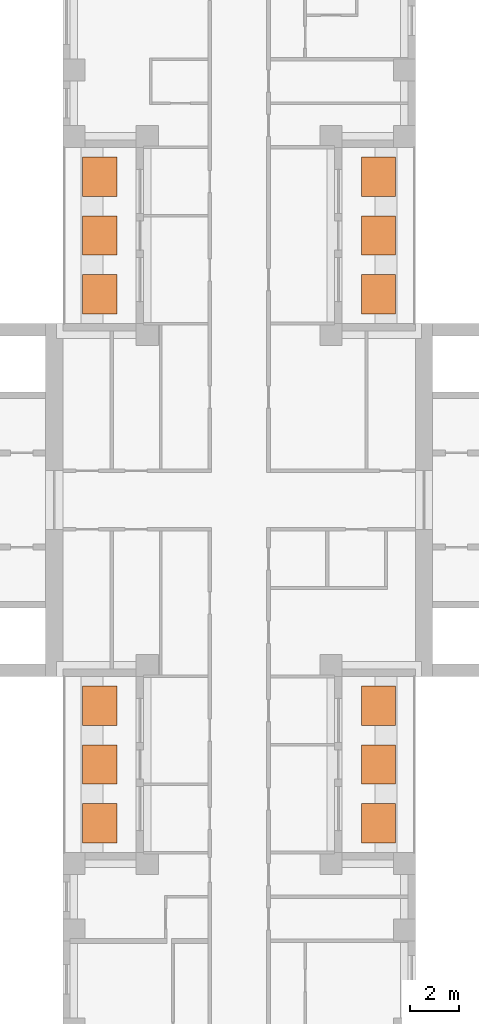
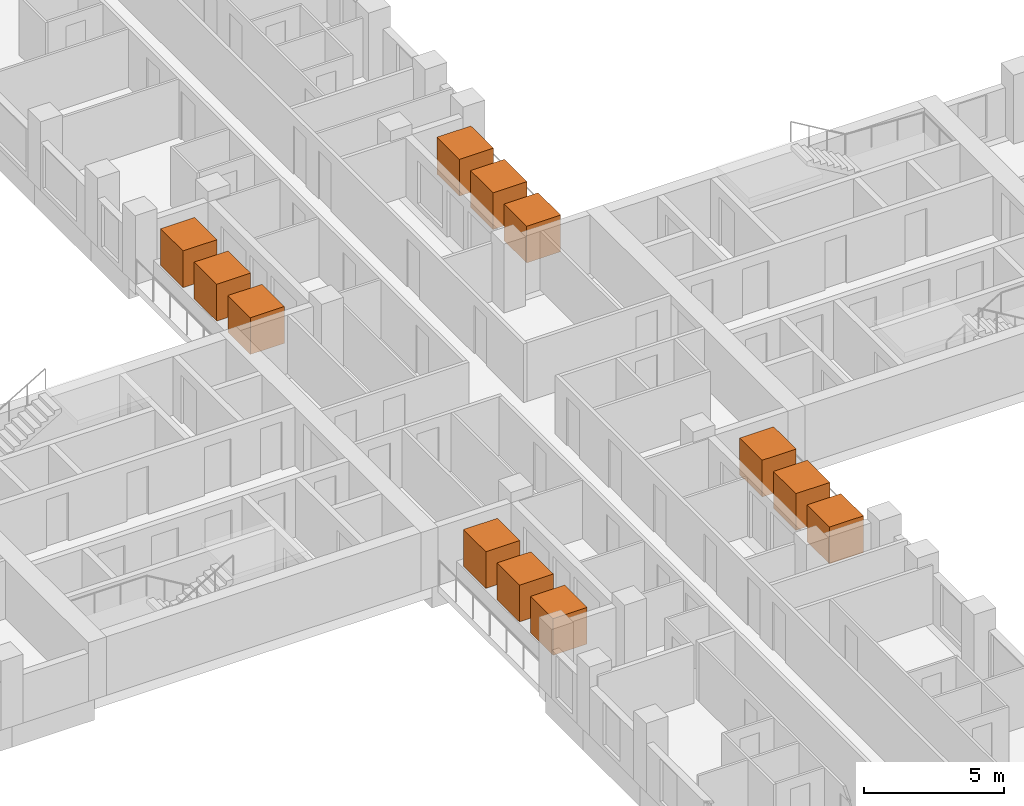
# One storey, part 15 of 15: 12 geographic elements.
"""IFC4 building model written with IfcOpenShell, lengths in metres."""

from ifc_helpers import new_model, si_unit, direction, frame, origin, origin_2d, place, context, subcontext, project, spatial, rectangle, extrude, material, element, save


model = new_model("IFC4")

# Units and contexts
model_context = context("Model", 3, precision=1e-05, world=origin(), true_north=direction((0.0, 1.0)))
body_context = subcontext(model_context, "Body", "Model", "MODEL_VIEW")
ifc_project = project(units=[si_unit("LENGTHUNIT", "METRE"), si_unit("AREAUNIT", "SQUARE_METRE"), si_unit("VOLUMEUNIT", "CUBIC_METRE"), si_unit("PLANEANGLEUNIT", "RADIAN"), si_unit("MASSUNIT", "GRAM", prefix="KILO")], contexts=[model_context])

# Site, building, storey
site_placement = place(None, origin())
site = spatial("IfcSite", under=ifc_project, at=site_placement, CompositionType="ELEMENT")
building_placement = place(site_placement, origin())
building = spatial("IfcBuilding", under=site, at=building_placement, Name="Fustian Cross Tower", CompositionType="ELEMENT")
storey_placement = place(building_placement, frame((0.0, 0.0, 59.699951171875)))
storey = spatial("IfcBuildingStorey", under=building, at=storey_placement, Name="L18", CompositionType="ELEMENT", Elevation=59.699951171875)

# Geographic elements
ifc_material = material(Name="Evergreen foliage")
for number, where, z_axis, x_axis, name in (
    (1, (5.68994140625, 8.39990234375, 0.800048828125), (0.0, 0.0, 1.0), (1.0, 0.0, 0.0), "TREE field maple"),
    (2, (5.68994140625, 10.800048828125, 0.800048828125), (0.0, 0.0, 1.0), (1.0, 0.0, 0.0), "TREE field maple"),
    (3, (5.68994140625, 13.199951171875, 0.800048828125), (0.0, 0.0, 1.0), (1.0, 0.0, 0.0), "TREE field maple"),
    (4, (-5.68994140625, 8.39990234375, 0.800048828125), (0.0, 0.0, 1.0), (1.0, 0.0, 0.0), "TREE field maple"),
    (5, (-5.68994140625, 10.800048828125, 0.800048828125), (0.0, 0.0, 1.0), (1.0, 0.0, 0.0), "TREE field maple"),
    (6, (-5.68994140625, 13.199951171875, 0.800048828125), (0.0, 0.0, 1.0), (1.0, 0.0, 0.0), "TREE field maple"),
    (7, (5.68994140625, -13.199951171875, 0.800048828125), (0.0, 0.0, 1.0), (1.0, 0.0, 0.0), "TREE field maple"),
    (8, (5.68994140625, -10.800048828125, 0.800048828125), (0.0, 0.0, 1.0), (1.0, 0.0, 0.0), "TREE field maple"),
    (9, (5.68994140625, -8.39990234375, 0.800048828125), (0.0, 0.0, 1.0), (1.0, 0.0, 0.0), "TREE field maple"),
    (10, (-5.68994140625, -13.199951171875, 0.800048828125), (0.0, 0.0, 1.0), (1.0, 0.0, 0.0), "TREE field maple"),
    (11, (-5.68994140625, -10.800048828125, 0.800048828125), (0.0, 0.0, 1.0), (1.0, 0.0, 0.0), "TREE field maple"),
    (12, (-5.68994140625, -8.39990234375, 0.800048828125), (0.0, 0.0, 1.0), (1.0, 0.0, 0.0), "TREE field maple"),
):
    element("IfcGeographicElement", number, at=place(storey_placement, frame(where, z_axis=z_axis, x_axis=x_axis)), inside=storey, material=ifc_material, Name=name, ObjectType="VEGETATION", PredefinedType="USERDEFINED", context=body_context, shape_type="SweptSolid", body=[
        extrude(rectangle(XDim=1.39990234375, YDim=1.60009765625, at=origin_2d()), origin(), (0.0, 0.0, 1.0), 1.60009765625),
    ])

save(model, "model.ifc")
